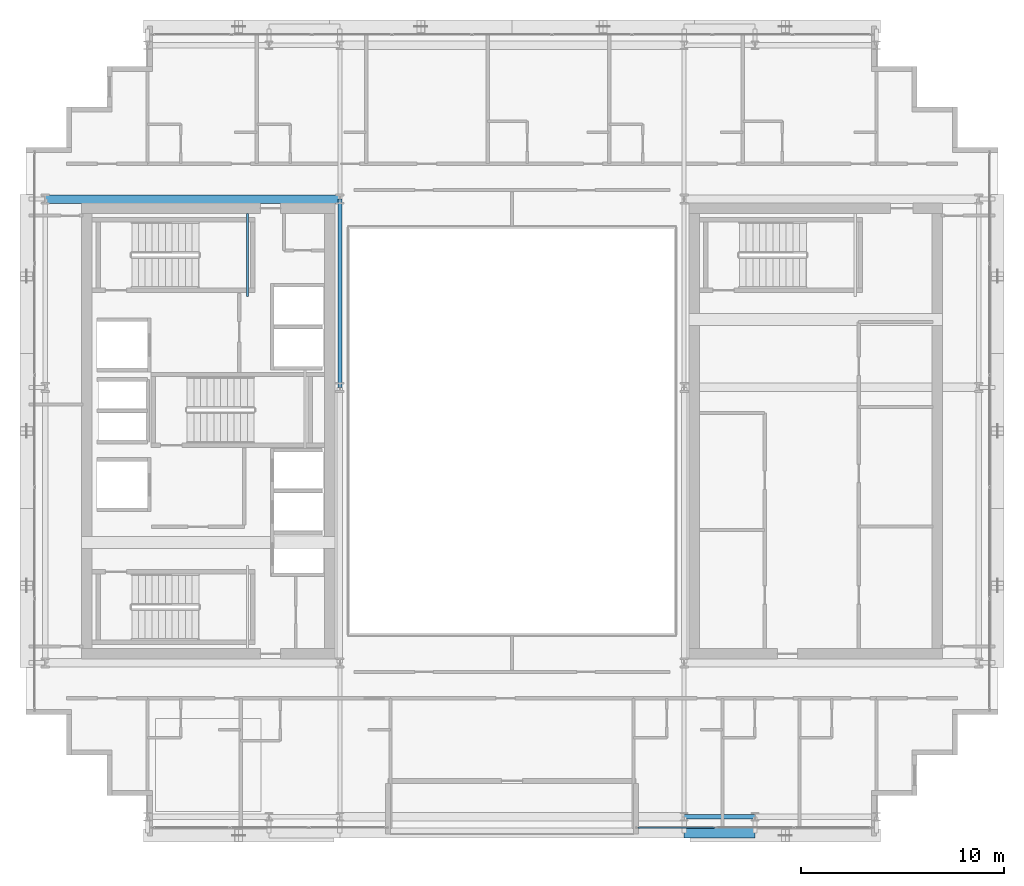
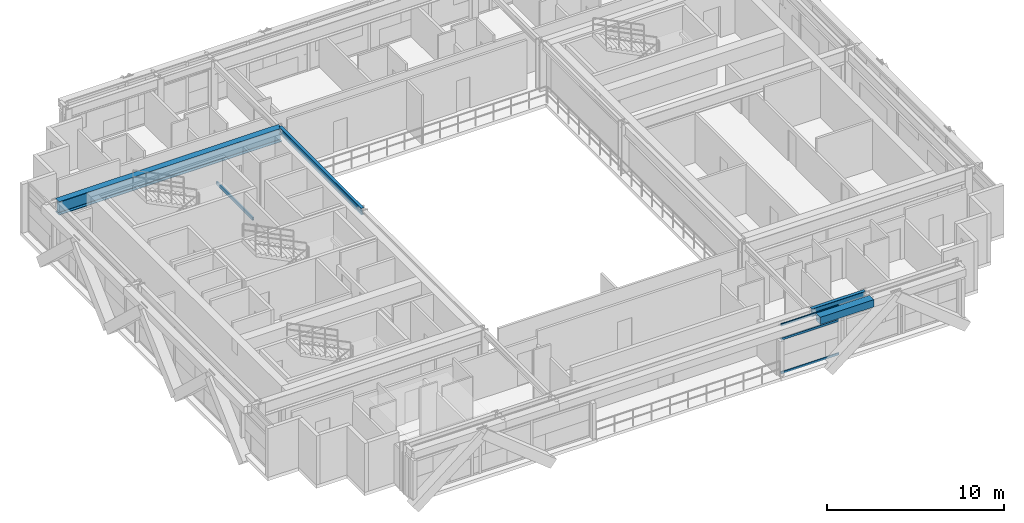
# One storey, part 9 of 31: 5 beams, 3 members, 1 element without a shape of its own.
"""IFC4 building model written with IfcOpenShell, lengths in metres."""

from ifc_helpers import new_model, si_unit, direction, frame, origin, origin_2d, place, context, subcontext, project, spatial, hollow_rectangle, i_section, extrude, source, transform, mapped, material, layer, layer_set, material_profile, profile_set, type_object, element, aggregate, save


model = new_model("IFC4")

# Units and contexts
model_context = context("Model", 3, precision=1e-05, world=origin(), true_north=direction((0.0, 1.0)))
body_context = subcontext(model_context, "Body", "Model", "MODEL_VIEW")
ifc_project = project(units=[si_unit("LENGTHUNIT", "METRE"), si_unit("AREAUNIT", "SQUARE_METRE"), si_unit("VOLUMEUNIT", "CUBIC_METRE"), si_unit("PLANEANGLEUNIT", "RADIAN"), si_unit("MASSUNIT", "GRAM", prefix="KILO")], contexts=[model_context])

# Site, building, storey
site_placement = place(None, origin())
site = spatial("IfcSite", under=ifc_project, at=site_placement, CompositionType="ELEMENT")
building_placement = place(site_placement, origin())
building = spatial("IfcBuilding", under=site, at=building_placement, Name="Ocotamira Hotel", CompositionType="ELEMENT")
storey_placement = place(building_placement, frame((0.0, 0.0, 210.0)))
storey = spatial("IfcBuildingStorey", under=building, at=storey_placement, Name="L53", CompositionType="ELEMENT", Elevation=210.0)

# Beams
ifc_material_1 = material(Name="Steel ASTM A500 Grade C", Category="steel")
ifc_material_profile_1 = material_profile(ifc_material_1, hollow_rectangle(XDim=0.10009765625, YDim=0.199951171875, WallThickness=0.008056640625, at=origin_2d()), Name="HSS200X100X8")
ifc_profile_set_1 = profile_set([ifc_material_profile_1], Name="Steel ASTM A500 Grade C")
beam_type_1 = type_object("IfcBeamType", Name="BM-STLDG-HSS200", PredefinedType="BEAM", material=ifc_profile_set_1)
shared_shape_1 = source(origin(), body_context, "Body", "SweptSolid", [
    extrude(hollow_rectangle(XDim=0.10009765625, YDim=0.199951171875, WallThickness=0.008056640625, at=origin_2d()), origin(), (0.0, 0.0, 1.0), 4.1201171875),
])
beam_1_placement = place(storey_placement, frame((18.949951171875, 32.6298828125, 1.5), z_axis=(0.0, 1.0, 0.0), x_axis=(-1.0, 0.0, 0.0)))
element("IfcBeam", 1, at=beam_1_placement, inside=storey, type_object=beam_type_1, Name="L53 Stair ST-2 Landing Bearer 1", PredefinedType="BEAM", context=body_context, shape_type="MappedRepresentation", body=[
    mapped(shared_shape_1, transform((0.0, 0.0, 0.0), scale=1.0)),
])
ifc_material_2 = material(Name="Steel ASTM A992 Grade 50", Category="steel")
ifc_material_profile_2 = material_profile(ifc_material_2, i_section(OverallWidth=0.41796875, OverallDepth=0.927001953125, WebThickness=0.019287109375, FlangeThickness=0.031982421875, FilletRadius=0.02392578125, at=origin_2d()), Name="W36X231")
ifc_profile_set_2 = profile_set([ifc_material_profile_2], Name="Steel ASTM A992 Grade 50")
beam_type_2 = type_object("IfcBeamType", Name="BM-GIRD-W36X231", PredefinedType="BEAM", material=ifc_profile_set_2)
shared_shape_2 = source(origin(), body_context, "Body", "SweptSolid", [
    extrude(i_section(OverallWidth=0.41796875, OverallDepth=0.927001953125, WebThickness=0.019287109375, FlangeThickness=0.031982421875, FilletRadius=0.02392578125, at=origin_2d()), origin(), (0.0, 0.0, 1.0), 14.550048828125),
])
beam_2_placement = place(storey_placement, frame((8.949951171875, 37.449951171875, 2.906494140625), z_axis=(1.0, 0.0, 0.0), x_axis=(0.0, 1.0, 0.0)))
element("IfcBeam", 2, at=beam_2_placement, inside=storey, type_object=beam_type_2, Name="L53 Girder Y37.45 X8.95-23.5", PredefinedType="BEAM", context=body_context, shape_type="MappedRepresentation", body=[
    mapped(shared_shape_2, transform((0.0, 0.0, 0.0), scale=1.0)),
])
ifc_material_profile_3 = material_profile(ifc_material_2, i_section(OverallWidth=0.2099609375, OverallDepth=0.537109375, WebThickness=0.010986328125, FlangeThickness=0.017333984375, FilletRadius=0.012939453125, at=origin_2d()), Name="W21X68")
ifc_profile_set_3 = profile_set([ifc_material_profile_3], Name="Steel ASTM A992 Grade 50")
beam_type_3 = type_object("IfcBeamType", Name="BM-SEC-W21X68", PredefinedType="JOIST", material=ifc_profile_set_3)
shared_shape_3 = source(origin(), body_context, "Body", "SweptSolid", [
    extrude(i_section(OverallWidth=0.2099609375, OverallDepth=0.537109375, WebThickness=0.010986328125, FlangeThickness=0.017333984375, FilletRadius=0.012939453125, at=origin_2d()), origin(), (0.0, 0.0, 1.0), 3.5),
])
beam_3_placement = place(storey_placement, frame((40.5, 6.949951171875, 3.1015625), z_axis=(1.0, 0.0, 0.0), x_axis=(0.0, 1.0, 0.0)))
element("IfcBeam", 3, at=beam_3_placement, inside=storey, type_object=beam_type_3, Name="L53 Girder Y6.95 X40.5-44", PredefinedType="JOIST", context=body_context, shape_type="MappedRepresentation", body=[
    mapped(shared_shape_3, transform((0.0, 0.0, 0.0), scale=1.0)),
])
ifc_material_profile_4 = material_profile(ifc_material_2, i_section(OverallWidth=0.18994140625, OverallDepth=0.45703125, WebThickness=0.009033203125, FlangeThickness=0.014404296875, FilletRadius=0.010009765625, at=origin_2d()), Name="W18X50")
ifc_profile_set_4 = profile_set([ifc_material_profile_4], Name="Steel ASTM A992 Grade 50")
beam_type_4 = type_object("IfcBeamType", Name="BM-SEC-W18X50", PredefinedType="JOIST", material=ifc_profile_set_4)
shared_shape_4 = source(origin(), body_context, "Body", "SweptSolid", [
    extrude(i_section(OverallWidth=0.18994140625, OverallDepth=0.45703125, WebThickness=0.009033203125, FlangeThickness=0.014404296875, FilletRadius=0.010009765625, at=origin_2d()), origin(), (0.0, 0.0, 1.0), 9.300048828125),
])
beam_4_placement = place(storey_placement, frame((23.5, 28.14990234375, 3.1416015625), z_axis=(0.0, 1.0, 0.0), x_axis=(-1.0, 0.0, 0.0)))
element("IfcBeam", 4, at=beam_4_placement, inside=storey, type_object=beam_type_4, Name="L53 Beam X23.5 Y28.15-37.45", PredefinedType="JOIST", context=body_context, shape_type="MappedRepresentation", body=[
    mapped(shared_shape_4, transform((0.0, 0.0, 0.0), scale=1.0)),
])
ifc_material_profile_5 = material_profile(ifc_material_1, hollow_rectangle(XDim=0.5, YDim=0.5, WallThickness=0.02001953125, at=origin_2d()), Name="HSS500X500X20")
ifc_profile_set_5 = profile_set([ifc_material_profile_5], Name="Steel ASTM A500 Grade C")
beam_type_5 = type_object("IfcBeamType", Name="BM-SPAN-HSS500", PredefinedType="USERDEFINED", material=ifc_profile_set_5)
shared_shape_5 = source(origin(), body_context, "Body", "SweptSolid", [
    extrude(hollow_rectangle(XDim=0.5, YDim=0.5, WallThickness=0.02001953125, at=origin_2d()), origin(), (0.0, 0.0, 1.0), 3.5),
])
beam_5_placement = place(storey_placement, frame((40.5, 6.14990234375, 3.1201171875), z_axis=(1.0, 0.0, 0.0), x_axis=(0.0, 1.0, 0.0)))
element("IfcBeam", 5, at=beam_5_placement, inside=storey, type_object=beam_type_5, Name="L53 Edge Spandrel S X40.5-44", ObjectType="SPANDREL", PredefinedType="USERDEFINED", context=body_context, shape_type="MappedRepresentation", body=[
    mapped(shared_shape_5, transform((0.0, 0.0, 0.0), scale=1.0)),
])

# Curtain wall, members
ifc_material_3 = material(Name="Anodised pale-metal aluminium and solar glass", Category="aluminium")
ifc_layer = layer(ifc_material_3, 0.199951171875)
ifc_layer_set = layer_set([ifc_layer], Name="Anodised pale-metal aluminium and solar glass")
curtain_wall_type = type_object("IfcCurtainWallType", Name="CW-SYS4-Z3", PredefinedType="NOTDEFINED", material=ifc_layer_set)
curtain_wall_placement = place(storey_placement, origin())
curtain_wall = element("IfcCurtainWall", 6, at=curtain_wall_placement, inside=storey, type_object=curtain_wall_type, Name="L53 Curtain Wall CW-4 CW-L53-S2", PredefinedType="NOTDEFINED")
ifc_material_4 = material(Name="Anodised pale-metal aluminium 6063-T6", Category="aluminium")
ifc_material_profile_6 = material_profile(ifc_material_4, hollow_rectangle(XDim=0.074951171875, YDim=0.14990234375, WallThickness=0.006103515625, at=origin_2d()), Name="HSS150X75X6")
ifc_profile_set_6 = profile_set([ifc_material_profile_6], Name="Anodised pale-metal aluminium 6063-T6")
member_type = type_object("IfcMemberType", Name="CWT-150X75", PredefinedType="USERDEFINED", material=ifc_profile_set_6)
shared_shape_6 = source(origin(), body_context, "Body", "SweptSolid", [
    extrude(hollow_rectangle(XDim=0.074951171875, YDim=0.14990234375, WallThickness=0.006103515625, at=origin_2d()), origin(), (0.0, 0.0, 1.0), 3.763427734375),
])
member_1_placement = place(storey_placement, frame((38.22998046875, 6.419921875, 0.03759765625), z_axis=(1.0, 0.0, 0.0), x_axis=(0.0, 1.0, 0.0)))
member_1 = element("IfcMember", 7, at=member_1_placement, type_object=member_type, Name="CW-4 transom 1.1", ObjectType="TRANSOM", PredefinedType="USERDEFINED", context=body_context, shape_type="MappedRepresentation", body=[
    mapped(shared_shape_6, transform((0.0, 0.0, 0.0), scale=1.0)),
])
member_2_placement = place(storey_placement, frame((38.22998046875, 6.419921875, 2.35009765625), z_axis=(1.0, 0.0, 0.0), x_axis=(0.0, 1.0, 0.0)))
member_2 = element("IfcMember", 8, at=member_2_placement, type_object=member_type, Name="CW-4 transom 1.2", ObjectType="TRANSOM", PredefinedType="USERDEFINED", context=body_context, shape_type="MappedRepresentation", body=[
    mapped(shared_shape_6, transform((0.0, 0.0, 0.0), scale=1.0)),
])
member_3_placement = place(storey_placement, frame((38.22998046875, 6.419921875, 3.33251953125), z_axis=(1.0, 0.0, 0.0), x_axis=(0.0, 1.0, 0.0)))
member_3 = element("IfcMember", 9, at=member_3_placement, type_object=member_type, Name="CW-4 transom 1.3", ObjectType="TRANSOM", PredefinedType="USERDEFINED", context=body_context, shape_type="MappedRepresentation", body=[
    mapped(shared_shape_6, transform((0.0, 0.0, 0.0), scale=1.0)),
])
aggregate(curtain_wall, [member_1, member_2, member_3])

save(model, "model.ifc")
